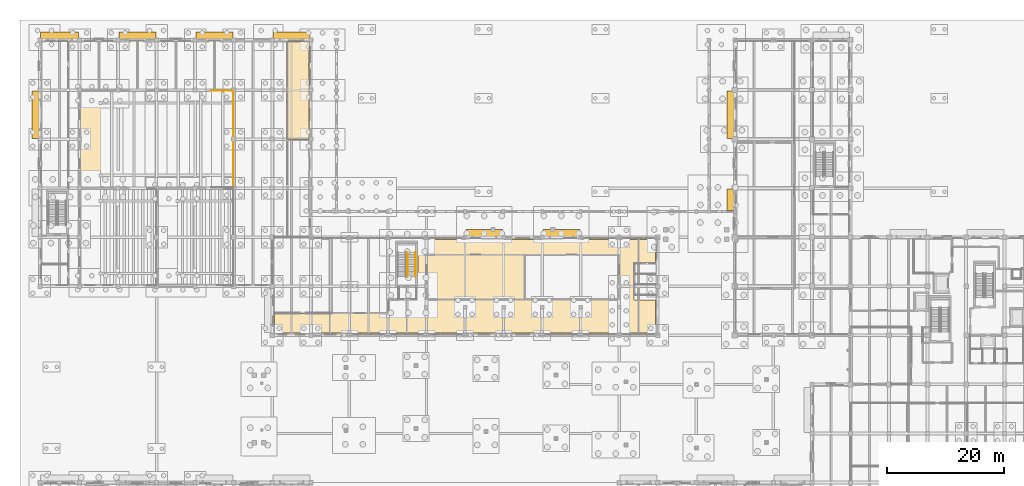
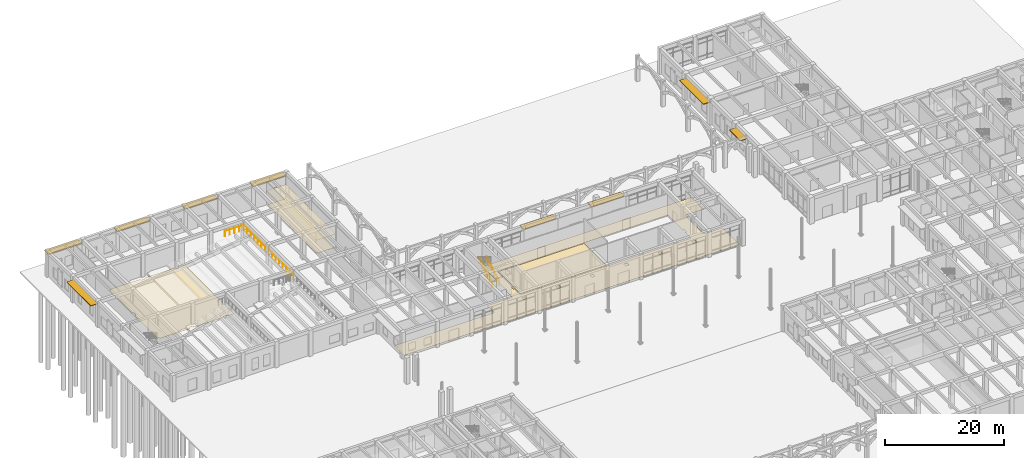
# One storey, part 78 of 82: 9 shading devices, 5 coverings, 4 railings.
"""IFC4 building model written with IfcOpenShell, lengths in metres."""

from ifc_helpers import new_model, si_unit, direction, frame, origin, origin_2d, place, context, subcontext, project, spatial, polyline, rectangle, circle, outline, extrude, material, layer, layer_set, type_object, element, save


model = new_model("IFC4")

# Units and contexts
model_context = context("Model", 3, precision=1e-05, world=origin(), true_north=direction((0.0, 1.0)))
body_context = subcontext(model_context, "Body", "Model", "MODEL_VIEW")
ifc_project = project(units=[si_unit("LENGTHUNIT", "METRE"), si_unit("AREAUNIT", "SQUARE_METRE"), si_unit("VOLUMEUNIT", "CUBIC_METRE"), si_unit("PLANEANGLEUNIT", "RADIAN"), si_unit("MASSUNIT", "GRAM", prefix="KILO")], contexts=[model_context])

# Site, building, storey
site_placement = place(None, origin())
site = spatial("IfcSite", under=ifc_project, at=site_placement, CompositionType="ELEMENT")
building_placement = place(site_placement, origin())
building = spatial("IfcBuilding", under=site, at=building_placement, Name="Kolvaren Faculty of Natural Sciences", CompositionType="ELEMENT")
storey_placement = place(building_placement, origin())
storey = spatial("IfcBuildingStorey", under=building, at=storey_placement, Name="L00", CompositionType="ELEMENT", Elevation=0.0)

# Covering
ifc_material_1 = material(Name="Perforated mineral-fibre acoustic suspended ceiling tile")
ifc_layer_1 = layer(ifc_material_1, 0.02490234375)
ifc_layer_set_1 = layer_set([ifc_layer_1], Name="Perforated mineral-fibre acoustic suspended ceiling tile")
covering_type_1 = type_object("IfcCoveringType", Name="AcousticSuspendedCeiling_25", PredefinedType="CEILING", material=ifc_layer_set_1)
covering_1_placement = place(storey_placement, frame((0.0, 0.0, 2.824951171875)))
element("IfcCovering", 1, at=covering_1_placement, inside=storey, type_object=covering_type_1, Name="L00 Student Admissions and Advisory Office acoustic ceiling", PredefinedType="CEILING", context=body_context, shape_type="SweptSolid", body=[
    extrude(outline(polyline([(46.139892578125, 109.75), (46.050048828125, 109.75), (46.050048828125, 109.050048828125), (46.139892578125, 109.050048828125), (46.139892578125, 101.35009765625), (46.050048828125, 101.35009765625), (46.050048828125, 100.919921875), (42.320068359375, 100.919921875), (42.320068359375, 117.739990234375), (46.050048828125, 117.739990234375), (46.050048828125, 117.64990234375), (46.139892578125, 117.64990234375), (46.139892578125, 109.75)])), origin(), (0.0, 0.0, 1.0), 0.025146484375),
])

# Shading devices
ifc_material_2 = material(Name="Precast concrete C35/45", Category="concrete")
ifc_layer_2 = layer(ifc_material_2, 0.1201171875)
ifc_layer_set_2 = layer_set([ifc_layer_2], Name="Precast concrete C35/45")
shading_device_type = type_object("IfcShadingDeviceType", Name="ChhajjaSolarHood_1350", PredefinedType="AWNING", material=ifc_layer_set_2)
shading_device_1_placement = place(storey_placement, frame((-0.655029296875, 105.199951171875, 4.44482421875), z_axis=(0.0, 0.0, 1.0), x_axis=(0.0, 1.0, 0.0)))
element("IfcShadingDevice", 2, at=shading_device_1_placement, inside=storey, type_object=shading_device_type, Name="L00 precast sandstone chhajja solar hood 10", PredefinedType="AWNING", context=body_context, shape_type="SweptSolid", body=[
    extrude(rectangle(XDim=8.10009765625, YDim=1.35009765625, at=origin_2d()), origin(), (0.0, 0.0, 1.0), 0.1201171875),
])
shading_device_2_placement = place(storey_placement, frame((3.39990234375, 118.655029296875, 4.294921875), z_axis=(0.0, 0.0, 1.0), x_axis=(1.0, 0.0, 0.0)))
element("IfcShadingDevice", 3, at=shading_device_2_placement, inside=storey, type_object=shading_device_type, Name="L00 precast sandstone chhajja solar hood 11", PredefinedType="AWNING", context=body_context, shape_type="SweptSolid", body=[
    extrude(rectangle(XDim=6.5, YDim=1.35009765625, at=origin_2d()), origin(), (0.0, 0.0, 1.0), 0.1201171875),
])
for number, where, z_axis, x_axis, name in (
    (4, (16.699951171875, 118.655029296875, 4.294921875), (0.0, 0.0, 1.0), (1.0, 0.0, 0.0), "L00 precast sandstone chhajja solar hood 12"),
    (5, (29.89990234375, 118.655029296875, 4.294921875), (0.0, 0.0, 1.0), (1.0, 0.0, 0.0), "L00 precast sandstone chhajja solar hood 13"),
    (6, (43.10009765625, 118.655029296875, 4.294921875), (0.0, 0.0, 1.0), (1.0, 0.0, 0.0), "L00 precast sandstone chhajja solar hood 14"),
    (7, (76.10009765625, 84.85498046875, 4.44482421875), (0.0, 0.0, 1.0), (1.0, 0.0, 0.0), "L00 precast sandstone chhajja solar hood 15"),
    (8, (89.300048828125, 84.85498046875, 4.44482421875), (0.0, 0.0, 1.0), (1.0, 0.0, 0.0), "L00 precast sandstone chhajja solar hood 16"),
):
    element("IfcShadingDevice", number, at=place(storey_placement, frame(where, z_axis=z_axis, x_axis=x_axis)), inside=storey, type_object=shading_device_type, Name=name, PredefinedType="AWNING", context=body_context, shape_type="SweptSolid", body=[
        extrude(rectangle(XDim=6.300048828125, YDim=1.35009765625, at=origin_2d()), origin(), (0.0, 0.0, 1.0), 0.1201171875),
    ])
shading_device_3_placement = place(storey_placement, frame((118.344970703125, 90.60009765625, 4.19482421875), z_axis=(0.0, 0.0, 1.0), x_axis=(0.0, 1.0, 0.0)))
element("IfcShadingDevice", 9, at=shading_device_3_placement, inside=storey, type_object=shading_device_type, Name="L00 precast sandstone chhajja solar hood 18", PredefinedType="AWNING", context=body_context, shape_type="SweptSolid", body=[
    extrude(rectangle(XDim=3.699951171875, YDim=1.35009765625, at=origin_2d()), origin(), (0.0, 0.0, 1.0), 0.1201171875),
])
shading_device_4_placement = place(storey_placement, frame((118.344970703125, 105.199951171875, 4.19482421875), z_axis=(0.0, 0.0, 1.0), x_axis=(0.0, 1.0, 0.0)))
element("IfcShadingDevice", 10, at=shading_device_4_placement, inside=storey, type_object=shading_device_type, Name="L00 precast sandstone chhajja solar hood 19", PredefinedType="AWNING", context=body_context, shape_type="SweptSolid", body=[
    extrude(rectangle(XDim=8.10009765625, YDim=1.35009765625, at=origin_2d()), origin(), (0.0, 0.0, 1.0), 0.1201171875),
])

# Railings
ifc_material_3 = material(Name="Structural steel EN 10210-1 S355J2H", Category="steel")
ifc_layer_3 = layer(ifc_material_3, 0.048095703125)
ifc_layer_set_3 = layer_set([ifc_layer_3], Name="Structural steel EN 10210-1 S355J2H")
railing_type_1 = type_object("IfcRailingType", Name="GuardRailing_GDVOID1", PredefinedType="BALUSTRADE", material=ifc_layer_set_3)
railing_1_placement = place(storey_placement, frame((33.1201171875, 92.719970703125, 3.1201171875)))
element("IfcRailing", 11, at=railing_1_placement, inside=storey, type_object=railing_type_1, Name="L00 LT-1 top tier rear balustrade 42", PredefinedType="BALUSTRADE", context=body_context, shape_type="SweptSolid", body=[
    extrude(circle(Radius=0.02392578125, at=origin_2d()), frame((0.0, 0.0, 1.09619140625), z_axis=(0.0, 1.0, 0.0), x_axis=(-1.0, 0.0, 0.0)), (0.0, 0.0, 1.0), 16.56005859375),
    extrude(circle(Radius=0.02099609375, at=origin_2d()), origin(), (0.0, 0.0, 1.0), 1.072021484375),
    extrude(circle(Radius=0.02099609375, at=origin_2d()), frame((0.0, 1.182861328125, 0.0)), (0.0, 0.0, 1.0), 1.072021484375),
    extrude(circle(Radius=0.02099609375, at=origin_2d()), frame((0.0, 2.36572265625, 0.0)), (0.0, 0.0, 1.0), 1.072021484375),
    extrude(circle(Radius=0.02099609375, at=origin_2d()), frame((0.0, 3.548583984375, 0.0)), (0.0, 0.0, 1.0), 1.072021484375),
    extrude(circle(Radius=0.02099609375, at=origin_2d()), frame((0.0, 4.7314453125, 0.0)), (0.0, 0.0, 1.0), 1.072021484375),
    extrude(circle(Radius=0.02099609375, at=origin_2d()), frame((0.0, 5.914306640625, 0.0)), (0.0, 0.0, 1.0), 1.072021484375),
    extrude(circle(Radius=0.02099609375, at=origin_2d()), frame((0.0, 7.09716796875, 0.0)), (0.0, 0.0, 1.0), 1.072021484375),
    extrude(circle(Radius=0.02099609375, at=origin_2d()), frame((0.0, 8.280029296875, 0.0)), (0.0, 0.0, 1.0), 1.072021484375),
    extrude(circle(Radius=0.02099609375, at=origin_2d()), frame((0.0, 9.462890625, 0.0)), (0.0, 0.0, 1.0), 1.072021484375),
    extrude(circle(Radius=0.02099609375, at=origin_2d()), frame((0.0, 10.645751953125, 0.0)), (0.0, 0.0, 1.0), 1.072021484375),
    extrude(circle(Radius=0.02099609375, at=origin_2d()), frame((0.0, 11.82861328125, 0.0)), (0.0, 0.0, 1.0), 1.072021484375),
    extrude(circle(Radius=0.02099609375, at=origin_2d()), frame((0.0, 13.011474609375, 0.0)), (0.0, 0.0, 1.0), 1.072021484375),
    extrude(circle(Radius=0.02099609375, at=origin_2d()), frame((0.0, 14.1943359375, 0.0)), (0.0, 0.0, 1.0), 1.072021484375),
    extrude(circle(Radius=0.02099609375, at=origin_2d()), frame((0.0, 15.377197265625, 0.0)), (0.0, 0.0, 1.0), 1.072021484375),
    extrude(circle(Radius=0.02099609375, at=origin_2d()), frame((0.0, 16.56005859375, 0.0)), (0.0, 0.0, 1.0), 1.072021484375),
])
railing_2_placement = place(storey_placement, frame((29.39990234375, 109.280029296875, 3.1201171875)))
element("IfcRailing", 12, at=railing_2_placement, inside=storey, type_object=railing_type_1, Name="L00 LT-1 top tier rear balustrade 44", PredefinedType="BALUSTRADE", context=body_context, shape_type="SweptSolid", body=[
    extrude(circle(Radius=0.02392578125, at=origin_2d()), frame((0.0, 0.0, 1.09619140625), z_axis=(1.0, 0.0, 0.0), x_axis=(0.0, 1.0, 0.0)), (0.0, 0.0, 1.0), 3.72021484375),
    extrude(circle(Radius=0.02099609375, at=origin_2d()), origin(), (0.0, 0.0, 1.0), 1.072021484375),
    extrude(circle(Radius=0.02099609375, at=origin_2d()), frame((0.93017578125, 0.0, 0.0)), (0.0, 0.0, 1.0), 1.072021484375),
    extrude(circle(Radius=0.02099609375, at=origin_2d()), frame((1.860107421875, 0.0, 0.0)), (0.0, 0.0, 1.0), 1.072021484375),
    extrude(circle(Radius=0.02099609375, at=origin_2d()), frame((2.7900390625, 0.0, 0.0)), (0.0, 0.0, 1.0), 1.072021484375),
    extrude(circle(Radius=0.02099609375, at=origin_2d()), frame((3.72021484375, 0.0, 0.0)), (0.0, 0.0, 1.0), 1.072021484375),
])
ifc_layer_4 = layer(ifc_material_3, 0.048095703125)
ifc_layer_set_4 = layer_set([ifc_layer_4], Name="Structural steel EN 10210-1 S355J2H")
railing_type_2 = type_object("IfcRailingType", Name="StairPitchHandrail_920", PredefinedType="HANDRAIL", material=ifc_layer_set_4)
railing_3_placement = place(storey_placement, frame((64.300048828125, 77.449951171875, 0.179931640625)))
element("IfcRailing", 13, at=railing_3_placement, inside=storey, type_object=railing_type_2, Name="L00 ST-6 stair handrail 1", PredefinedType="HANDRAIL", context=body_context, shape_type="SweptSolid", body=[
    extrude(circle(Radius=0.02392578125, at=origin_2d()), frame((0.0, 0.0, 0.8759765625), z_axis=(0.0, 0.853644604182, 0.520855920338), x_axis=(-1.0, 0.0, 0.0)), (0.0, 0.0, 1.0), 4.838134765625),
    extrude(circle(Radius=0.02099609375, at=origin_2d()), origin(), (0.0, 0.0, 1.0), 0.851806640625),
    extrude(circle(Radius=0.02099609375, at=origin_2d()), frame((0.0, 0.825927734375, 0.50390625)), (0.0, 0.0, 1.0), 0.851806640625),
    extrude(circle(Radius=0.02099609375, at=origin_2d()), frame((0.0, 1.652099609375, 1.008056640625)), (0.0, 0.0, 1.0), 0.851806640625),
    extrude(circle(Radius=0.02099609375, at=origin_2d()), frame((0.0, 2.47802734375, 1.511962890625)), (0.0, 0.0, 1.0), 0.851806640625),
    extrude(circle(Radius=0.02099609375, at=origin_2d()), frame((0.0, 3.30419921875, 2.01611328125)), (0.0, 0.0, 1.0), 0.851806640625),
    extrude(circle(Radius=0.02099609375, at=origin_2d()), frame((0.0, 4.130126953125, 2.52001953125)), (0.0, 0.0, 1.0), 0.851806640625),
])
ifc_layer_5 = layer(ifc_material_3, 0.048095703125)
ifc_layer_set_5 = layer_set([ifc_layer_5], Name="Structural steel EN 10210-1 S355J2H")
railing_type_3 = type_object("IfcRailingType", Name="StairWellGuard_1100", PredefinedType="BALUSTRADE", material=ifc_layer_set_5)
railing_4_placement = place(storey_placement, frame((62.949951171875, 77.449951171875, 0.179931640625)))
element("IfcRailing", 14, at=railing_4_placement, inside=storey, type_object=railing_type_3, Name="L00 ST-6 stair guard 1", PredefinedType="BALUSTRADE", context=body_context, shape_type="SweptSolid", body=[
    extrude(circle(Radius=0.02392578125, at=origin_2d()), frame((0.0, 0.0, 1.076171875), z_axis=(0.0, 0.853644604182, 0.520855920338), x_axis=(-1.0, 0.0, 0.0)), (0.0, 0.0, 1.0), 4.838134765625),
    extrude(circle(Radius=0.02099609375, at=origin_2d()), origin(), (0.0, 0.0, 1.0), 1.052001953125),
    extrude(circle(Radius=0.02099609375, at=origin_2d()), frame((0.0, 0.825927734375, 0.50390625)), (0.0, 0.0, 1.0), 1.052001953125),
    extrude(circle(Radius=0.02099609375, at=origin_2d()), frame((0.0, 1.652099609375, 1.008056640625)), (0.0, 0.0, 1.0), 1.052001953125),
    extrude(circle(Radius=0.02099609375, at=origin_2d()), frame((0.0, 2.47802734375, 1.511962890625)), (0.0, 0.0, 1.0), 1.052001953125),
    extrude(circle(Radius=0.02099609375, at=origin_2d()), frame((0.0, 3.30419921875, 2.01611328125)), (0.0, 0.0, 1.0), 1.052001953125),
    extrude(circle(Radius=0.02099609375, at=origin_2d()), frame((0.0, 4.130126953125, 2.52001953125)), (0.0, 0.0, 1.0), 1.052001953125),
])

# Coverings
ifc_material_4 = material(Name="Polished Uruguayan grey granite terrazzo flooring", Category="masonry")
ifc_layer_6 = layer(ifc_material_4, 0.030029296875)
ifc_layer_set_6 = layer_set([ifc_layer_6], Name="Polished Uruguayan grey granite terrazzo flooring")
covering_type_2 = type_object("IfcCoveringType", Name="TerrazzoFloorFinish_30", PredefinedType="FLOORING", material=ifc_layer_set_6)
covering_2_placement = place(storey_placement, origin())
element("IfcCovering", 15, at=covering_2_placement, inside=storey, type_object=covering_type_2, Name="L00 L00 Academic Concourse and Corridor floor finish", PredefinedType="FLOORING", context=body_context, shape_type="SweptSolid", body=[
    extrude(outline(polyline([(64.5, 73.489990234375), (64.505859375, 73.490234375), (64.51171875, 73.4912109375), (64.517333984375, 73.49267578125), (64.52294921875, 73.49462890625), (64.5283203125, 73.4970703125), (64.533203125, 73.5), (64.5380859375, 73.503662109375), (64.54248046875, 73.507568359375), (64.54638671875, 73.511962890625), (64.5498046875, 73.5166015625), (64.552978515625, 73.521728515625), (64.555419921875, 73.527099609375), (64.557373046875, 73.53271484375), (64.558837890625, 73.538330078125), (64.559814453125, 73.544189453125), (64.56005859375, 73.550048828125), (64.56005859375, 75.5400390625), (64.675048828125, 75.5400390625), (64.680908203125, 75.540283203125), (64.686767578125, 75.541259765625), (64.6923828125, 75.54248046875), (64.697998046875, 75.544677734375), (64.703369140625, 75.547119140625), (64.708251953125, 75.550048828125), (64.713134765625, 75.5537109375), (64.71728515625, 75.5576171875), (64.721435546875, 75.56201171875), (64.724853515625, 75.566650390625), (64.727783203125, 75.57177734375), (64.73046875, 75.576904296875), (64.732421875, 75.58251953125), (64.73388671875, 75.58837890625), (64.734619140625, 75.593994140625), (64.735107421875, 75.60009765625), (64.735107421875, 83.574951171875), (64.734619140625, 83.580810546875), (64.73388671875, 83.586669921875), (64.732421875, 83.59228515625), (64.73046875, 83.597900390625), (64.727783203125, 83.603271484375), (64.724853515625, 83.6083984375), (64.721435546875, 83.613037109375), (64.71728515625, 83.617431640625), (64.713134765625, 83.621337890625), (64.708251953125, 83.625), (64.703369140625, 83.6279296875), (64.697998046875, 83.63037109375), (64.6923828125, 83.63232421875), (64.686767578125, 83.6337890625), (64.680908203125, 83.634765625), (64.675048828125, 83.635009765625), (64.56005859375, 83.635009765625), (64.56005859375, 83.800048828125), (105.39990234375, 83.800048828125), (105.39990234375, 79.760009765625), (101.800048828125, 79.760009765625), (101.794189453125, 79.759765625), (101.788330078125, 79.7587890625), (101.78271484375, 79.75732421875), (101.777099609375, 79.75537109375), (101.771728515625, 79.7529296875), (101.7666015625, 79.75), (101.761962890625, 79.746337890625), (101.757568359375, 79.742431640625), (101.753662109375, 79.738037109375), (101.75, 79.7333984375), (101.7470703125, 79.728271484375), (101.74462890625, 79.722900390625), (101.74267578125, 79.71728515625), (101.7412109375, 79.711669921875), (101.740234375, 79.705810546875), (101.739990234375, 79.699951171875), (101.739990234375, 73.550048828125), (101.740234375, 73.544189453125), (101.7412109375, 73.538330078125), (101.74267578125, 73.53271484375), (101.74462890625, 73.527099609375), (101.7470703125, 73.521728515625), (101.75, 73.5166015625), (101.753662109375, 73.511962890625), (101.757568359375, 73.507568359375), (101.761962890625, 73.503662109375), (101.7666015625, 73.5), (101.771728515625, 73.4970703125), (101.777099609375, 73.49462890625), (101.78271484375, 73.49267578125), (101.788330078125, 73.4912109375), (101.794189453125, 73.490234375), (101.800048828125, 73.489990234375), (105.39990234375, 73.489990234375), (105.39990234375, 67.800048828125), (40.199951171875, 67.800048828125), (40.199951171875, 71.139892578125), (59.60009765625, 71.139892578125), (59.60595703125, 71.140380859375), (59.61181640625, 71.14111328125), (59.617431640625, 71.142578125), (59.623046875, 71.14453125), (59.62841796875, 71.147216796875), (59.63330078125, 71.150146484375), (59.63818359375, 71.153564453125), (59.642333984375, 71.15771484375), (59.646484375, 71.161865234375), (59.64990234375, 71.166748046875), (59.65283203125, 71.171630859375), (59.655517578125, 71.177001953125), (59.657470703125, 71.1826171875), (59.65869140625, 71.188232421875), (59.65966796875, 71.194091796875), (59.659912109375, 71.199951171875), (59.659912109375, 73.489990234375), (64.5, 73.489990234375)]), holes=[polyline([(66.140380859375, 73.544189453125), (66.14111328125, 73.538330078125), (66.142578125, 73.53271484375), (66.14453125, 73.527099609375), (66.147216796875, 73.521728515625), (66.150146484375, 73.5166015625), (66.153564453125, 73.511962890625), (66.15771484375, 73.507568359375), (66.161865234375, 73.503662109375), (66.166748046875, 73.5), (66.171630859375, 73.4970703125), (66.177001953125, 73.49462890625), (66.1826171875, 73.49267578125), (66.188232421875, 73.4912109375), (66.194091796875, 73.490234375), (66.199951171875, 73.489990234375), (99.199951171875, 73.489990234375), (99.205810546875, 73.490234375), (99.211669921875, 73.4912109375), (99.21728515625, 73.49267578125), (99.222900390625, 73.49462890625), (99.228271484375, 73.4970703125), (99.2333984375, 73.5), (99.238037109375, 73.503662109375), (99.242431640625, 73.507568359375), (99.246337890625, 73.511962890625), (99.25, 73.5166015625), (99.2529296875, 73.521728515625), (99.25537109375, 73.527099609375), (99.25732421875, 73.53271484375), (99.2587890625, 73.538330078125), (99.259765625, 73.544189453125), (99.260009765625, 73.550048828125), (99.260009765625, 75.449951171875), (99.550048828125, 75.449951171875), (99.550048828125, 76.14990234375), (99.260009765625, 76.14990234375), (99.260009765625, 81.199951171875), (99.259765625, 81.205810546875), (99.2587890625, 81.211669921875), (99.25732421875, 81.21728515625), (99.25537109375, 81.222900390625), (99.2529296875, 81.228271484375), (99.25, 81.2333984375), (99.246337890625, 81.238037109375), (99.242431640625, 81.242431640625), (99.238037109375, 81.246337890625), (99.2333984375, 81.25), (99.228271484375, 81.2529296875), (99.222900390625, 81.25537109375), (99.21728515625, 81.25732421875), (99.211669921875, 81.2587890625), (99.205810546875, 81.259765625), (99.199951171875, 81.260009765625), (66.199951171875, 81.260009765625), (66.194091796875, 81.259765625), (66.188232421875, 81.2587890625), (66.1826171875, 81.25732421875), (66.177001953125, 81.25537109375), (66.171630859375, 81.2529296875), (66.166748046875, 81.25), (66.161865234375, 81.246337890625), (66.15771484375, 81.242431640625), (66.153564453125, 81.238037109375), (66.150146484375, 81.2333984375), (66.147216796875, 81.228271484375), (66.14453125, 81.222900390625), (66.142578125, 81.21728515625), (66.14111328125, 81.211669921875), (66.140380859375, 81.205810546875), (66.139892578125, 81.199951171875), (66.139892578125, 76.10009765625), (65.89990234375, 76.10009765625), (65.89990234375, 75.5), (66.139892578125, 75.5), (66.139892578125, 73.550048828125), (66.140380859375, 73.544189453125)]), polyline([(98.89990234375, 72.5), (98.89990234375, 71.89990234375), (99.5, 71.89990234375), (99.5, 72.5), (98.89990234375, 72.5)]), polyline([(86.300048828125, 72.5), (85.699951171875, 72.5), (85.699951171875, 71.89990234375), (86.300048828125, 71.89990234375), (86.300048828125, 72.5)]), polyline([(92.89990234375, 72.5), (92.300048828125, 72.5), (92.300048828125, 71.89990234375), (92.89990234375, 71.89990234375), (92.89990234375, 72.5)]), polyline([(66.5, 72.5), (65.89990234375, 72.5), (65.89990234375, 71.89990234375), (66.5, 71.89990234375), (66.5, 72.5)]), polyline([(79.699951171875, 72.5), (79.10009765625, 72.5), (79.10009765625, 71.89990234375), (79.699951171875, 71.89990234375), (79.699951171875, 72.5)]), polyline([(73.10009765625, 72.5), (72.5, 72.5), (72.5, 71.89990234375), (73.10009765625, 71.89990234375), (73.10009765625, 72.5)])]), origin(), (0.0, 0.0, 1.0), 0.030029296875),
])
covering_3_placement = place(storey_placement, origin())
element("IfcCovering", 16, at=covering_3_placement, inside=storey, type_object=covering_type_2, Name="L00 Main Tiered Lecture Theatre LT-1 floor finish", PredefinedType="FLOORING", context=body_context, shape_type="SweptSolid", body=[
    extrude(outline(polyline([(13.050048828125, 109.340087890625), (13.050048828125, 109.050048828125), (13.75, 109.050048828125), (13.75, 109.340087890625), (19.64990234375, 109.340087890625), (19.64990234375, 109.050048828125), (20.35009765625, 109.050048828125), (20.35009765625, 109.340087890625), (21.5400390625, 109.340087890625), (21.5400390625, 92.659912109375), (20.35009765625, 92.659912109375), (20.35009765625, 92.949951171875), (19.64990234375, 92.949951171875), (19.64990234375, 92.659912109375), (13.75, 92.659912109375), (13.75, 92.949951171875), (13.050048828125, 92.949951171875), (13.050048828125, 92.659912109375), (7.14990234375, 92.659912109375), (7.14990234375, 92.949951171875), (6.860107421875, 92.949951171875), (6.860107421875, 100.64990234375), (7.14990234375, 100.64990234375), (7.14990234375, 101.35009765625), (6.860107421875, 101.35009765625), (6.860107421875, 109.050048828125), (7.14990234375, 109.050048828125), (7.14990234375, 109.340087890625), (13.050048828125, 109.340087890625)])), origin(), (0.0, 0.0, 1.0), 0.030029296875),
])
covering_4_placement = place(storey_placement, origin())
element("IfcCovering", 17, at=covering_4_placement, inside=storey, type_object=covering_type_2, Name="L00 Student Admissions and Advisory Office floor finish", PredefinedType="FLOORING", context=body_context, shape_type="SweptSolid", body=[
    extrude(outline(polyline([(46.0, 117.60009765625), (46.0, 101.06005859375), (42.4599609375, 101.06005859375), (42.4599609375, 117.60009765625), (46.0, 117.60009765625)])), origin(), (0.0, 0.0, 1.0), 0.030029296875),
])
covering_5_placement = place(storey_placement, origin())
element("IfcCovering", 18, at=covering_5_placement, inside=storey, type_object=covering_type_2, Name="L00 Central Sky-Lit Atrium Hall floor finish", PredefinedType="FLOORING", context=body_context, shape_type="SweptSolid", body=[
    extrude(outline(polyline([(82.93994140625, 81.139892578125), (82.93994140625, 73.610107421875), (66.260009765625, 73.610107421875), (66.260009765625, 75.5), (66.5, 75.5), (66.5, 76.10009765625), (66.260009765625, 76.10009765625), (66.260009765625, 81.139892578125), (82.93994140625, 81.139892578125)])), origin(), (0.0, 0.0, 1.0), 0.030029296875),
])

save(model, "model.ifc")
